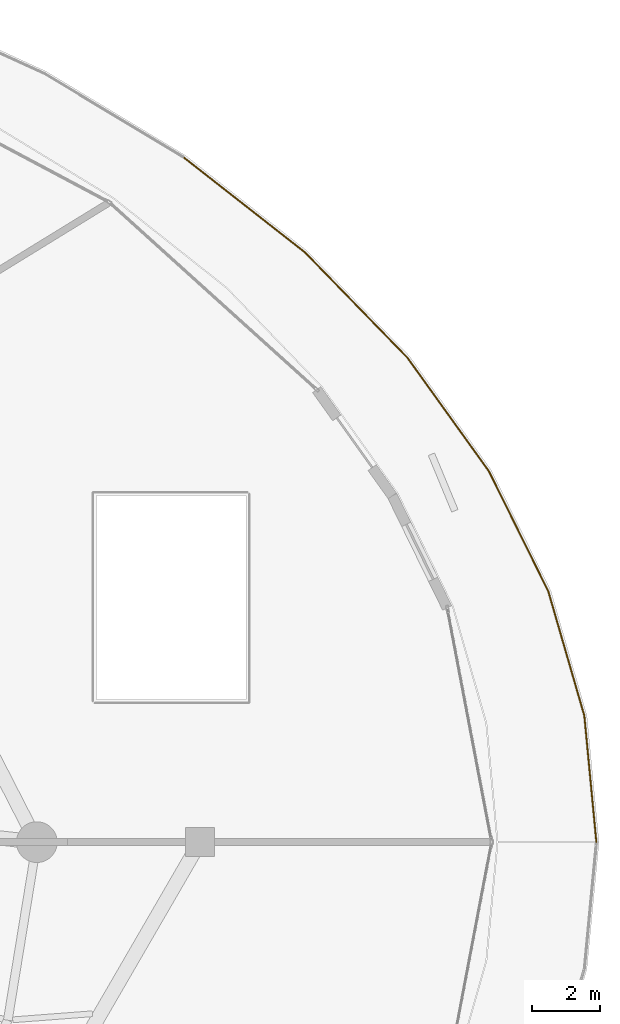
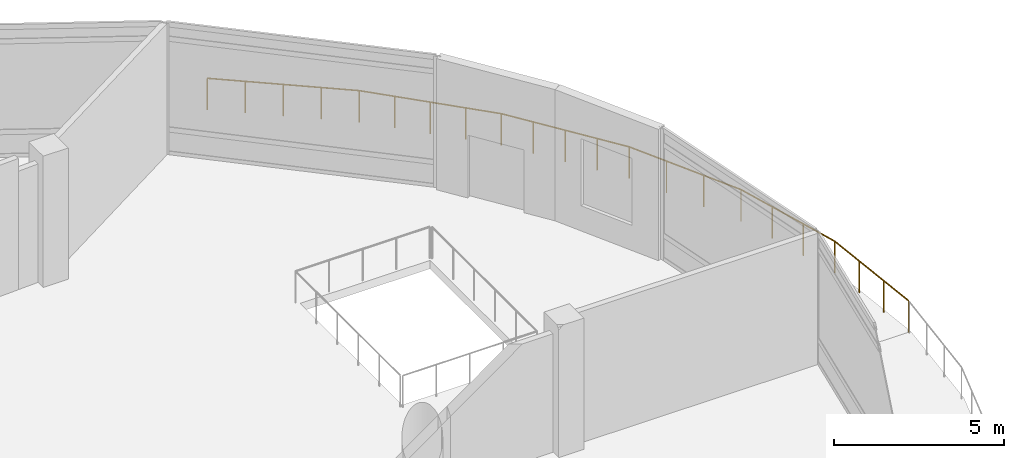
# One storey, part 37 of 37: 1 railing.
"""IFC4 building model written with IfcOpenShell, lengths in metres."""

from ifc_helpers import new_model, si_unit, direction, frame, origin, place, context, subcontext, project, spatial, polyline, outline, extrude, material, type_object, element, save


model = new_model("IFC4")

# Units and contexts
model_context = context("Model", 3, precision=1e-05, world=origin(), true_north=direction((0.0, 1.0)))
body_context = subcontext(model_context, "Body", "Model", "MODEL_VIEW")
ifc_project = project(units=[si_unit("LENGTHUNIT", "METRE"), si_unit("AREAUNIT", "SQUARE_METRE"), si_unit("VOLUMEUNIT", "CUBIC_METRE"), si_unit("PLANEANGLEUNIT", "RADIAN"), si_unit("MASSUNIT", "GRAM", prefix="KILO")], contexts=[model_context])

# Site, building, storey
site_placement = place(None, origin())
site = spatial("IfcSite", under=ifc_project, at=site_placement, CompositionType="ELEMENT")
building_placement = place(site_placement, origin())
building = spatial("IfcBuilding", under=site, at=building_placement, Name="Nuhasar Tower", CompositionType="ELEMENT")
storey_placement = place(building_placement, frame((0.0, 0.0, 6.0)))
storey = spatial("IfcBuildingStorey", under=building, at=storey_placement, Name="L01", CompositionType="ELEMENT", Elevation=6.0)

# Railing
ifc_material = material(Name="Steel S355", Category="steel")
railing_type = type_object("IfcRailingType", Name="RLG-TERR-1150", PredefinedType="BALUSTRADE", material=ifc_material)
railing_placement = place(storey_placement, frame((80.52001953125, 26.800048828125, 0.0)))
element("IfcRailing", 1, at=railing_placement, inside=storey, type_object=railing_type, Name="L01 Bustan Terrace Perimeter Balustrade 01", PredefinedType="BALUSTRADE", context=body_context, shape_type="SweptSolid", body=[
    extrude(outline(polyline([(0.024169921875, 0.0), (0.01708984375, 0.01708984375), (0.0, 0.024169921875), (-0.01708984375, 0.01708984375), (-0.024169921875, 0.0), (-0.01708984375, -0.01708984375), (0.0, -0.024169921875), (0.01708984375, -0.01708984375), (0.024169921875, 0.0)])), frame((0.0, 0.0, 1.1259765625), z_axis=(-0.094919998054, 0.995484903938, 0.0), x_axis=(-0.995484903938, -0.094919998054, 0.0)), (0.0, 0.0, 1.0), 3.73974609375),
    extrude(outline(polyline([(0.024169921875, 0.0), (0.01708984375, 0.01708984375), (0.0, 0.024169921875), (-0.01708984375, 0.01708984375), (-0.024169921875, 0.0), (-0.01708984375, -0.01708984375), (0.0, -0.024169921875), (0.01708984375, -0.01708984375), (0.024169921875, 0.0)])), frame((-0.35498046875, 3.722900390625, 1.1259765625), z_axis=(-0.278274374936, 0.960501625326, 0.0), x_axis=(-0.960501625326, -0.278274374936, 0.0)), (0.0, 0.0, 1.0), 3.809326171875),
    extrude(outline(polyline([(0.024169921875, 0.0), (0.01708984375, 0.01708984375), (0.0, 0.024169921875), (-0.01708984375, 0.01708984375), (-0.024169921875, 0.0), (-0.01708984375, -0.01708984375), (0.0, -0.024169921875), (0.01708984375, -0.01708984375), (0.024169921875, 0.0)])), frame((-1.4150390625, 7.3818359375, 1.1259765625), z_axis=(-0.443144342733, 0.896450272744, 0.0), x_axis=(-0.896450272744, -0.443144342733, 0.0)), (0.0, 0.0, 1.0), 3.940185546875),
    extrude(outline(polyline([(0.024169921875, 0.0), (0.01708984375, 0.01708984375), (0.0, 0.024169921875), (-0.01708984375, 0.01708984375), (-0.024169921875, 0.0), (-0.01708984375, -0.01708984375), (0.0, -0.024169921875), (0.01708984375, -0.01708984375), (0.024169921875, 0.0)])), frame((-3.1611328125, 10.9140625, 1.1259765625), z_axis=(-0.583148612261, 0.812365494108, 0.0), x_axis=(-0.812365494108, -0.583148612261, 0.0)), (0.0, 0.0, 1.0), 4.11865234375),
    extrude(outline(polyline([(0.024169921875, 0.0), (0.01708984375, 0.01708984375), (0.0, 0.024169921875), (-0.01708984375, 0.01708984375), (-0.024169921875, 0.0), (-0.01708984375, -0.01708984375), (0.0, -0.024169921875), (0.01708984375, -0.01708984375), (0.024169921875, 0.0)])), frame((-5.56298828125, 14.260009765625, 1.1259765625), z_axis=(-0.697221787031, 0.716855480337, 0.0), x_axis=(-0.716855480337, -0.697221787031, 0.0)), (0.0, 0.0, 1.0), 4.327392578125),
    extrude(outline(polyline([(0.024169921875, 0.0), (0.01708984375, 0.01708984375), (0.0, 0.024169921875), (-0.01708984375, 0.01708984375), (-0.024169921875, 0.0), (-0.01708984375, -0.01708984375), (0.0, -0.024169921875), (0.01708984375, -0.01708984375), (0.024169921875, 0.0)])), frame((-8.580078125, 17.362060546875, 1.1259765625), z_axis=(-0.78734501046, 0.616512639371, 0.0), x_axis=(-0.616512639371, -0.78734501046, 0.0)), (0.0, 0.0, 1.0), 4.5087890625),
    extrude(outline(polyline([(0.02099609375, 0.0), (0.014892578125, 0.014892578125), (0.0, 0.02099609375), (-0.014892578125, 0.014892578125), (-0.02099609375, 0.0), (-0.014892578125, -0.014892578125), (0.0, -0.02099609375), (0.014892578125, -0.014892578125), (0.02099609375, 0.0)])), origin(), (0.0, 0.0, 1.0), 1.101806640625),
    extrude(outline(polyline([(0.02099609375, 0.0), (0.014892578125, 0.014892578125), (0.0, 0.02099609375), (-0.014892578125, 0.014892578125), (-0.02099609375, 0.0), (-0.014892578125, -0.014892578125), (0.0, -0.02099609375), (0.014892578125, -0.014892578125), (0.02099609375, 0.0)])), frame((-0.118408203125, 1.240966796875, 0.0)), (0.0, 0.0, 1.0), 1.101806640625),
    extrude(outline(polyline([(0.02099609375, 0.0), (0.014892578125, 0.014892578125), (0.0, 0.02099609375), (-0.014892578125, 0.014892578125), (-0.02099609375, 0.0), (-0.014892578125, -0.014892578125), (0.0, -0.02099609375), (0.014892578125, -0.014892578125), (0.02099609375, 0.0)])), frame((-0.236572265625, 2.48193359375, 0.0)), (0.0, 0.0, 1.0), 1.101806640625),
    extrude(outline(polyline([(0.02099609375, 0.0), (0.014892578125, 0.014892578125), (0.0, 0.02099609375), (-0.014892578125, 0.014892578125), (-0.02099609375, 0.0), (-0.014892578125, -0.014892578125), (0.0, -0.02099609375), (0.014892578125, -0.014892578125), (0.02099609375, 0.0)])), frame((-0.35498046875, 3.722900390625, 0.0)), (0.0, 0.0, 1.0), 1.101806640625),
    extrude(outline(polyline([(0.02099609375, 0.0), (0.014892578125, 0.014892578125), (0.0, 0.02099609375), (-0.014892578125, 0.014892578125), (-0.02099609375, 0.0), (-0.014892578125, -0.014892578125), (0.0, -0.02099609375), (0.014892578125, -0.014892578125), (0.02099609375, 0.0)])), frame((-0.708251953125, 4.942626953125, 0.0)), (0.0, 0.0, 1.0), 1.101806640625),
    extrude(outline(polyline([(0.02099609375, 0.0), (0.014892578125, 0.014892578125), (0.0, 0.02099609375), (-0.014892578125, 0.014892578125), (-0.02099609375, 0.0), (-0.014892578125, -0.014892578125), (0.0, -0.02099609375), (0.014892578125, -0.014892578125), (0.02099609375, 0.0)])), frame((-1.061767578125, 6.162109375, 0.0)), (0.0, 0.0, 1.0), 1.101806640625),
    extrude(outline(polyline([(0.02099609375, 0.0), (0.014892578125, 0.014892578125), (0.0, 0.02099609375), (-0.014892578125, 0.014892578125), (-0.02099609375, 0.0), (-0.014892578125, -0.014892578125), (0.0, -0.02099609375), (0.014892578125, -0.014892578125), (0.02099609375, 0.0)])), frame((-1.4150390625, 7.3818359375, 0.0)), (0.0, 0.0, 1.0), 1.101806640625),
    extrude(outline(polyline([(0.02099609375, 0.0), (0.014892578125, 0.014892578125), (0.0, 0.02099609375), (-0.014892578125, 0.014892578125), (-0.02099609375, 0.0), (-0.014892578125, -0.014892578125), (0.0, -0.02099609375), (0.014892578125, -0.014892578125), (0.02099609375, 0.0)])), frame((-1.9970703125, 8.559326171875, 0.0)), (0.0, 0.0, 1.0), 1.101806640625),
    extrude(outline(polyline([(0.02099609375, 0.0), (0.014892578125, 0.014892578125), (0.0, 0.02099609375), (-0.014892578125, 0.014892578125), (-0.02099609375, 0.0), (-0.014892578125, -0.014892578125), (0.0, -0.02099609375), (0.014892578125, -0.014892578125), (0.02099609375, 0.0)])), frame((-2.5791015625, 9.736572265625, 0.0)), (0.0, 0.0, 1.0), 1.101806640625),
    extrude(outline(polyline([(0.02099609375, 0.0), (0.014892578125, 0.014892578125), (0.0, 0.02099609375), (-0.014892578125, 0.014892578125), (-0.02099609375, 0.0), (-0.014892578125, -0.014892578125), (0.0, -0.02099609375), (0.014892578125, -0.014892578125), (0.02099609375, 0.0)])), frame((-3.1611328125, 10.9140625, 0.0)), (0.0, 0.0, 1.0), 1.101806640625),
    extrude(outline(polyline([(0.02099609375, 0.0), (0.014892578125, 0.014892578125), (0.0, 0.02099609375), (-0.014892578125, 0.014892578125), (-0.02099609375, 0.0), (-0.014892578125, -0.014892578125), (0.0, -0.02099609375), (0.014892578125, -0.014892578125), (0.02099609375, 0.0)])), frame((-3.76171875, 11.75048828125, 0.0)), (0.0, 0.0, 1.0), 1.101806640625),
    extrude(outline(polyline([(0.02099609375, 0.0), (0.014892578125, 0.014892578125), (0.0, 0.02099609375), (-0.014892578125, 0.014892578125), (-0.02099609375, 0.0), (-0.014892578125, -0.014892578125), (0.0, -0.02099609375), (0.014892578125, -0.014892578125), (0.02099609375, 0.0)])), frame((-4.362060546875, 12.5869140625, 0.0)), (0.0, 0.0, 1.0), 1.101806640625),
    extrude(outline(polyline([(0.02099609375, 0.0), (0.014892578125, 0.014892578125), (0.0, 0.02099609375), (-0.014892578125, 0.014892578125), (-0.02099609375, 0.0), (-0.014892578125, -0.014892578125), (0.0, -0.02099609375), (0.014892578125, -0.014892578125), (0.02099609375, 0.0)])), frame((-4.96240234375, 13.423583984375, 0.0)), (0.0, 0.0, 1.0), 1.101806640625),
    extrude(outline(polyline([(0.02099609375, 0.0), (0.014892578125, 0.014892578125), (0.0, 0.02099609375), (-0.014892578125, 0.014892578125), (-0.02099609375, 0.0), (-0.014892578125, -0.014892578125), (0.0, -0.02099609375), (0.014892578125, -0.014892578125), (0.02099609375, 0.0)])), frame((-5.56298828125, 14.260009765625, 0.0)), (0.0, 0.0, 1.0), 1.101806640625),
    extrude(outline(polyline([(0.02099609375, 0.0), (0.014892578125, 0.014892578125), (0.0, 0.02099609375), (-0.014892578125, 0.014892578125), (-0.02099609375, 0.0), (-0.014892578125, -0.014892578125), (0.0, -0.02099609375), (0.014892578125, -0.014892578125), (0.02099609375, 0.0)])), frame((-6.3173828125, 15.03564453125, 0.0)), (0.0, 0.0, 1.0), 1.101806640625),
    extrude(outline(polyline([(0.02099609375, 0.0), (0.014892578125, 0.014892578125), (0.0, 0.02099609375), (-0.014892578125, 0.014892578125), (-0.02099609375, 0.0), (-0.014892578125, -0.014892578125), (0.0, -0.02099609375), (0.014892578125, -0.014892578125), (0.02099609375, 0.0)])), frame((-7.071533203125, 15.81103515625, 0.0)), (0.0, 0.0, 1.0), 1.101806640625),
    extrude(outline(polyline([(0.02099609375, 0.0), (0.014892578125, 0.014892578125), (0.0, 0.02099609375), (-0.014892578125, 0.014892578125), (-0.02099609375, 0.0), (-0.014892578125, -0.014892578125), (0.0, -0.02099609375), (0.014892578125, -0.014892578125), (0.02099609375, 0.0)])), frame((-7.82568359375, 16.58642578125, 0.0)), (0.0, 0.0, 1.0), 1.101806640625),
    extrude(outline(polyline([(0.02099609375, 0.0), (0.014892578125, 0.014892578125), (0.0, 0.02099609375), (-0.014892578125, 0.014892578125), (-0.02099609375, 0.0), (-0.014892578125, -0.014892578125), (0.0, -0.02099609375), (0.014892578125, -0.014892578125), (0.02099609375, 0.0)])), frame((-8.580078125, 17.362060546875, 0.0)), (0.0, 0.0, 1.0), 1.101806640625),
    extrude(outline(polyline([(0.02099609375, 0.0), (0.014892578125, 0.014892578125), (0.0, 0.02099609375), (-0.014892578125, 0.014892578125), (-0.02099609375, 0.0), (-0.014892578125, -0.014892578125), (0.0, -0.02099609375), (0.014892578125, -0.014892578125), (0.02099609375, 0.0)])), frame((-9.467529296875, 18.05712890625, 0.0)), (0.0, 0.0, 1.0), 1.101806640625),
    extrude(outline(polyline([(0.02099609375, 0.0), (0.014892578125, 0.014892578125), (0.0, 0.02099609375), (-0.014892578125, 0.014892578125), (-0.02099609375, 0.0), (-0.014892578125, -0.014892578125), (0.0, -0.02099609375), (0.014892578125, -0.014892578125), (0.02099609375, 0.0)])), frame((-10.35498046875, 18.751953125, 0.0)), (0.0, 0.0, 1.0), 1.101806640625),
    extrude(outline(polyline([(0.02099609375, 0.0), (0.014892578125, 0.014892578125), (0.0, 0.02099609375), (-0.014892578125, 0.014892578125), (-0.02099609375, 0.0), (-0.014892578125, -0.014892578125), (0.0, -0.02099609375), (0.014892578125, -0.014892578125), (0.02099609375, 0.0)])), frame((-11.24267578125, 19.44677734375, 0.0)), (0.0, 0.0, 1.0), 1.101806640625),
    extrude(outline(polyline([(0.02099609375, 0.0), (0.014892578125, 0.014892578125), (0.0, 0.02099609375), (-0.014892578125, 0.014892578125), (-0.02099609375, 0.0), (-0.014892578125, -0.014892578125), (0.0, -0.02099609375), (0.014892578125, -0.014892578125), (0.02099609375, 0.0)])), frame((-12.130126953125, 20.141845703125, 0.0)), (0.0, 0.0, 1.0), 1.101806640625),
])

save(model, "model.ifc")
